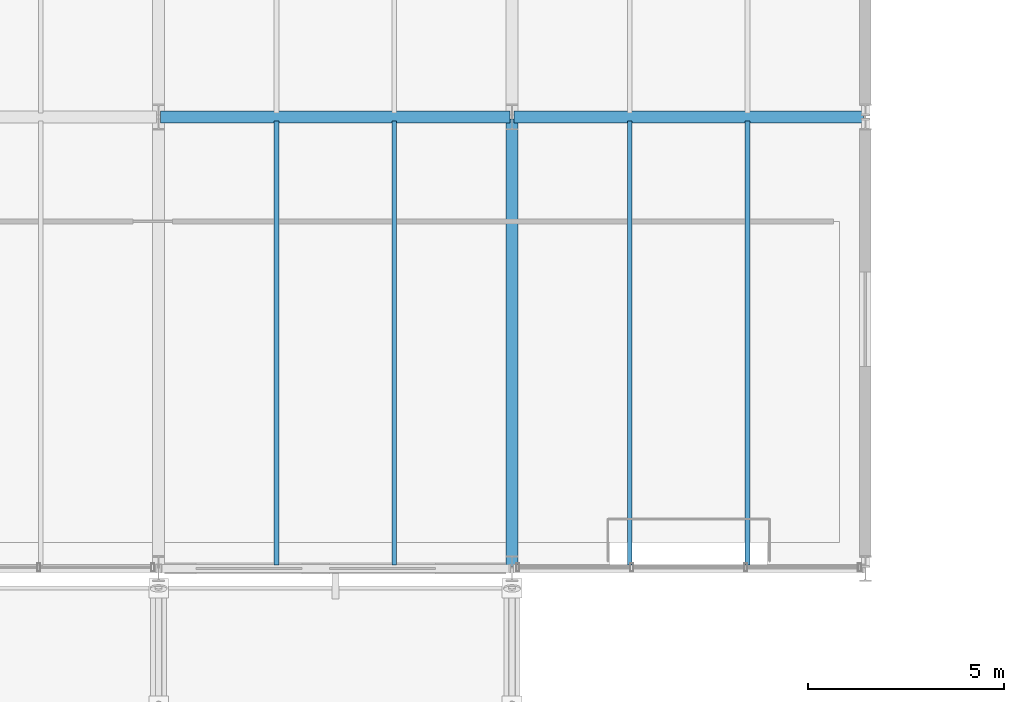
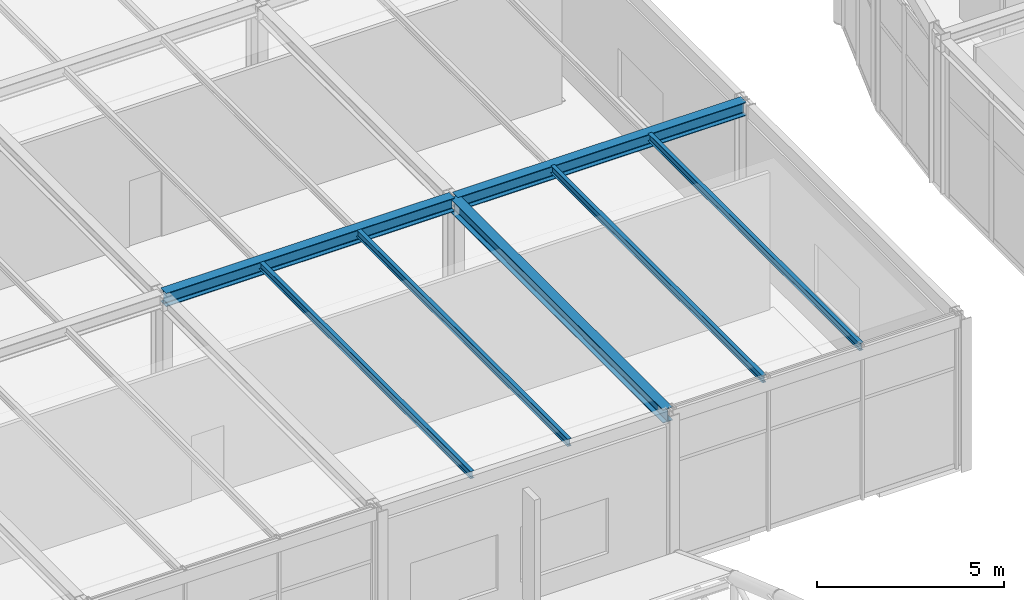
# One storey, part 51 of 195: 7 beams.
"""IFC4 building model written with IfcOpenShell, lengths in metres."""

from ifc_helpers import new_model, si_unit, direction, frame, origin, origin_2d, place, context, subcontext, project, spatial, i_section, extrude, material, material_profile, profile_set, type_object, element, save


model = new_model("IFC4")

# Units and contexts
model_context = context("Model", 3, precision=1e-05, world=origin(), true_north=direction((0.0, 1.0)))
body_context = subcontext(model_context, "Body", "Model", "MODEL_VIEW")
ifc_project = project(units=[si_unit("LENGTHUNIT", "METRE"), si_unit("AREAUNIT", "SQUARE_METRE"), si_unit("VOLUMEUNIT", "CUBIC_METRE"), si_unit("PLANEANGLEUNIT", "RADIAN"), si_unit("MASSUNIT", "GRAM", prefix="KILO")], contexts=[model_context])

# Site, building, storey
site_placement = place(None, origin())
site = spatial("IfcSite", under=ifc_project, at=site_placement, CompositionType="ELEMENT")
building_placement = place(site_placement, origin())
building = spatial("IfcBuilding", under=site, at=building_placement, Name="Marlcrest Central Station", CompositionType="ELEMENT")
storey_placement = place(building_placement, frame((0.0, 0.0, 9.800048828125)))
storey = spatial("IfcBuildingStorey", under=building, at=storey_placement, Name="L02", CompositionType="ELEMENT", Elevation=9.800048828125)

# Beams
ifc_material = material(Name="Steel S355", Category="steel")
ifc_material_profile_1 = material_profile(ifc_material, i_section(OverallWidth=0.300048828125, OverallDepth=0.43994140625, WebThickness=0.011474609375, FlangeThickness=0.02099609375, FilletRadius=0.027099609375, at=origin_2d()), Name="HEA 450")
ifc_profile_set_1 = profile_set([ifc_material_profile_1], Name="Steel S355")
beam_type_1 = type_object("IfcBeamType", Name="BM-09", PredefinedType="BEAM", material=ifc_profile_set_1)
for number, where, z_axis, x_axis, name in (
    (1, (63.050048828125, 110.5, 4.780029296875), (1.0, 0.0, 0.0), (0.0, 1.0, 0.0), "bm-BM-09-L02-00364"),
    (2, (72.050048828125, 110.5, 4.7548828125), (1.0, 0.0, 0.0), (0.0, 1.0, 0.0), "bm-BM-09-L02-00365"),
):
    element("IfcBeam", number, at=place(storey_placement, frame(where, z_axis=z_axis, x_axis=x_axis)), inside=storey, type_object=beam_type_1, Name=name, PredefinedType="BEAM", context=body_context, shape_type="SweptSolid", body=[
        extrude(i_section(OverallWidth=0.300048828125, OverallDepth=0.43994140625, WebThickness=0.011474609375, FlangeThickness=0.02099609375, FilletRadius=0.027099609375, at=origin_2d()), origin(), (0.0, 0.0, 1.0), 8.89990234375),
    ])
beam_placement = place(storey_placement, frame((72.0, 99.050048828125, 4.7548828125), z_axis=(0.0, 1.0, 0.0), x_axis=(-1.0, 0.0, 0.0)))
element("IfcBeam", 3, at=beam_placement, inside=storey, type_object=beam_type_1, Name="bm-BM-09-L02-00408", PredefinedType="BEAM", context=body_context, shape_type="SweptSolid", body=[
    extrude(i_section(OverallWidth=0.300048828125, OverallDepth=0.43994140625, WebThickness=0.011474609375, FlangeThickness=0.02099609375, FilletRadius=0.027099609375, at=origin_2d()), origin(), (0.0, 0.0, 1.0), 11.39990234375),
])
ifc_material_profile_2 = material_profile(ifc_material, i_section(OverallWidth=0.1201171875, OverallDepth=0.239990234375, WebThickness=0.006103515625, FlangeThickness=0.009765625, FilletRadius=0.014892578125, at=origin_2d()), Name="IPE 240")
ifc_profile_set_2 = profile_set([ifc_material_profile_2], Name="Steel S355")
beam_type_2 = type_object("IfcBeamType", Name="JS-03", PredefinedType="JOIST", material=ifc_profile_set_2)
for number, where, z_axis, x_axis, name in (
    (4, (66.0, 99.094970703125, 4.8798828125), (0.0, 1.0, 0.0), (-1.0, 0.0, 0.0), "bm-JS-03-L02-00456"),
    (5, (69.0, 99.094970703125, 4.8798828125), (0.0, 1.0, 0.0), (-1.0, 0.0, 0.0), "bm-JS-03-L02-00459"),
    (6, (75.0, 99.094970703125, 4.85498046875), (0.0, 1.0, 0.0), (-1.0, 0.0, 0.0), "bm-JS-03-L02-00462"),
    (7, (78.0, 99.094970703125, 4.85498046875), (0.0, 1.0, 0.0), (-1.0, 0.0, 0.0), "bm-JS-03-L02-00465"),
):
    element("IfcBeam", number, at=place(storey_placement, frame(where, z_axis=z_axis, x_axis=x_axis)), inside=storey, type_object=beam_type_2, Name=name, PredefinedType="JOIST", context=body_context, shape_type="SweptSolid", body=[
        extrude(i_section(OverallWidth=0.1201171875, OverallDepth=0.239990234375, WebThickness=0.006103515625, FlangeThickness=0.009765625, FilletRadius=0.014892578125, at=origin_2d()), origin(), (0.0, 0.0, 1.0), 11.304931640625),
    ])

save(model, "model.ifc")
